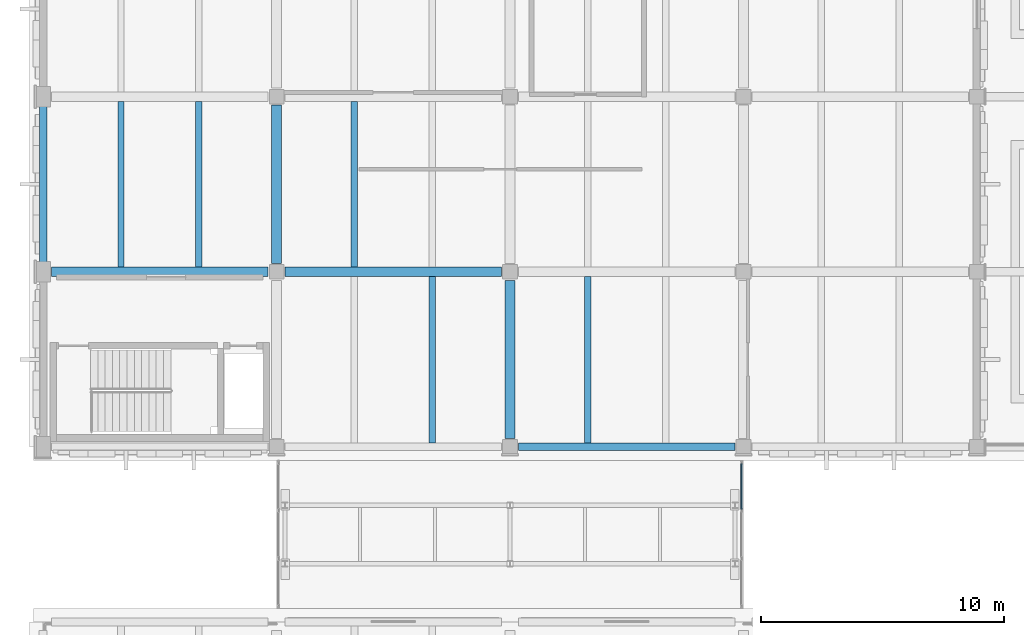
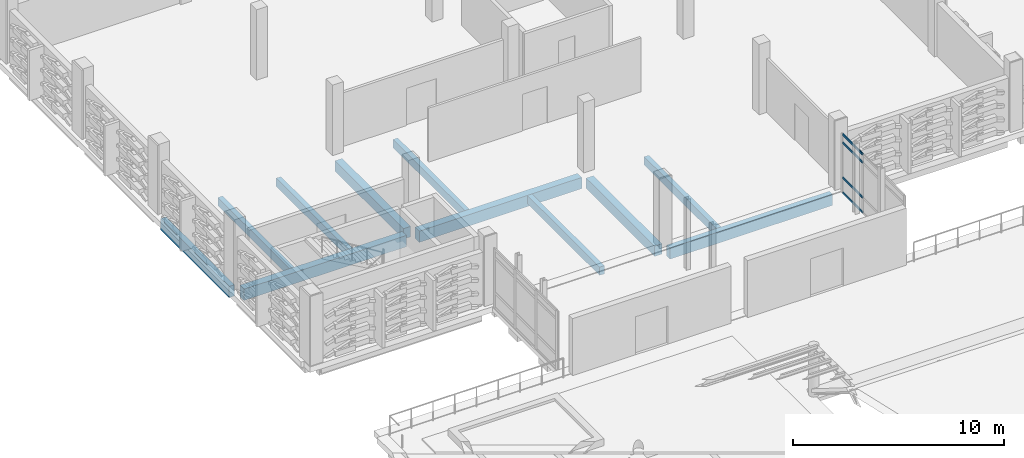
# One storey, part 11 of 134: 11 beams, 4 members, 1 element without a shape of its own.
"""IFC4 building model written with IfcOpenShell, lengths in metres."""

from ifc_helpers import new_model, si_unit, direction, frame, origin, origin_2d, place, context, subcontext, project, spatial, rectangle, hollow_rectangle, extrude, material, layer, layer_set, material_profile, profile_set, type_object, element, aggregate, save


model = new_model("IFC4")

# Units and contexts
model_context = context("Model", 3, precision=1e-05, world=origin(), true_north=direction((0.0, 1.0)))
body_context = subcontext(model_context, "Body", "Model", "MODEL_VIEW")
ifc_project = project(units=[si_unit("LENGTHUNIT", "METRE"), si_unit("AREAUNIT", "SQUARE_METRE"), si_unit("VOLUMEUNIT", "CUBIC_METRE"), si_unit("PLANEANGLEUNIT", "RADIAN"), si_unit("MASSUNIT", "GRAM", prefix="KILO")], contexts=[model_context])

# Site, building, storey
site_placement = place(None, origin())
site = spatial("IfcSite", under=ifc_project, at=site_placement, CompositionType="ELEMENT")
building_placement = place(site_placement, origin())
building = spatial("IfcBuilding", under=site, at=building_placement, Name="Asteropetra Specialist Clinic", CompositionType="ELEMENT")
storey_placement = place(building_placement, frame((0.0, 0.0, 8.5)))
storey = spatial("IfcBuildingStorey", under=building, at=storey_placement, Name="L02", CompositionType="ELEMENT", Elevation=8.5)

# Beams
ifc_material_1 = material(Name="Concrete C35/45", Category="concrete")
ifc_material_profile_1 = material_profile(ifc_material_1, rectangle(XDim=0.39990234375, YDim=0.60009765625, at=origin_2d()), Name="RCB 400x600")
ifc_profile_set_1 = profile_set([ifc_material_profile_1], Name="Concrete C35/45")
beam_type_1 = type_object("IfcBeamType", Name="BM-RC400x600", PredefinedType="BEAM", material=ifc_profile_set_1)
for number, where, z_axis, x_axis, name in (
    (1, (19.199951171875, 33.949951171875, -0.60009765625), (0.0, 1.0, 0.0), (-1.0, 0.0, 0.0), "Beam BBM08-1075"),
    (2, (9.60009765625, 41.14990234375, -0.60009765625), (0.0, 1.0, 0.0), (-1.0, 0.0, 0.0), "Beam BBM08-1084"),
):
    element("IfcBeam", number, at=place(storey_placement, frame(where, z_axis=z_axis, x_axis=x_axis)), inside=storey, type_object=beam_type_1, Name=name, PredefinedType="BEAM", context=body_context, shape_type="SweptSolid", body=[
        extrude(rectangle(XDim=0.39990234375, YDim=0.60009765625, at=origin_2d()), origin(), (0.0, 0.0, 1.0), 6.5),
    ])
ifc_material_2 = material(Name="Concrete C35/45", Category="concrete")
ifc_material_profile_2 = material_profile(ifc_material_2, rectangle(XDim=0.39990234375, YDim=0.64990234375, at=origin_2d()), Name="RCB 400x650")
ifc_profile_set_2 = profile_set([ifc_material_profile_2], Name="Concrete C35/45")
beam_type_2 = type_object("IfcBeamType", Name="BM-RC400x650", PredefinedType="BEAM", material=ifc_profile_set_2)
beam_1_placement = place(storey_placement, frame((0.35009765625, 40.800048828125, -0.625), z_axis=(1.0, 0.0, 0.0), x_axis=(0.0, 1.0, 0.0)))
element("IfcBeam", 3, at=beam_1_placement, inside=storey, type_object=beam_type_2, Name="Beam BBM07-1057", PredefinedType="BEAM", context=body_context, shape_type="SweptSolid", body=[
    extrude(rectangle(XDim=0.39990234375, YDim=0.64990234375, at=origin_2d()), origin(), (0.0, 0.0, 1.0), 8.89990234375),
])
beam_2_placement = place(storey_placement, frame((9.949951171875, 40.800048828125, -0.625), z_axis=(1.0, 0.0, 0.0), x_axis=(0.0, 1.0, 0.0)))
element("IfcBeam", 4, at=beam_2_placement, inside=storey, type_object=beam_type_2, Name="Beam BBM07-1058", PredefinedType="BEAM", context=body_context, shape_type="SweptSolid", body=[
    extrude(rectangle(XDim=0.39990234375, YDim=0.64990234375, at=origin_2d()), origin(), (0.0, 0.0, 1.0), 8.900146484375),
])

# Curtain wall, members
ifc_material_3 = material(Name="Aluminium and low-E glass", Category="aluminium")
ifc_layer = layer(ifc_material_3, 0.14990234375)
ifc_layer_set = layer_set([ifc_layer], Name="Aluminium and low-E glass")
curtain_wall_type = type_object("IfcCurtainWallType", Name="CW-SYS-08", PredefinedType="USERDEFINED", material=ifc_layer_set)
curtain_wall_placement = place(storey_placement, origin())
curtain_wall = element("IfcCurtainWall", 5, at=curtain_wall_placement, inside=storey, type_object=curtain_wall_type, Name="Curtain Wall CW-100", ObjectType="STICK GLAZED COLONNADE", PredefinedType="USERDEFINED")
ifc_material_4 = material(Name="Aluminium 6063-T6", Category="aluminium")
ifc_material_profile_3 = material_profile(ifc_material_4, hollow_rectangle(XDim=0.06494140625, YDim=0.1201171875, WallThickness=0.00390625, InnerFilletRadius=0.00390625, OuterFilletRadius=0.008056640625, at=origin_2d()), Name="TRN 120x65x4.0")
ifc_profile_set_3 = profile_set([ifc_material_profile_3], Name="Aluminium 6063-T6")
member_type = type_object("IfcMemberType", Name="CWT-120x65", PredefinedType="USERDEFINED", material=ifc_profile_set_3)
member_1_placement = place(storey_placement, frame((28.719970703125, 32.925048828125, 0.032470703125), z_axis=(0.0, -1.0, 0.0), x_axis=(1.0, 0.0, 0.0)))
member_1 = element("IfcMember", 6, at=member_1_placement, type_object=member_type, Name="CW-100 transom 1.1", ObjectType="TRANSOM", PredefinedType="USERDEFINED", context=body_context, shape_type="SweptSolid", body=[
    extrude(hollow_rectangle(XDim=0.06494140625, YDim=0.1201171875, WallThickness=0.00390625, InnerFilletRadius=0.00390625, OuterFilletRadius=0.008056640625, at=origin_2d()), origin(), (0.0, 0.0, 1.0), 1.89599609375),
])
member_2_placement = place(storey_placement, frame((28.719970703125, 32.925048828125, 0.89990234375), z_axis=(0.0, -1.0, 0.0), x_axis=(1.0, 0.0, 0.0)))
member_2 = element("IfcMember", 7, at=member_2_placement, type_object=member_type, Name="CW-100 transom 1.2", ObjectType="TRANSOM", PredefinedType="USERDEFINED", context=body_context, shape_type="SweptSolid", body=[
    extrude(hollow_rectangle(XDim=0.06494140625, YDim=0.1201171875, WallThickness=0.00390625, InnerFilletRadius=0.00390625, OuterFilletRadius=0.008056640625, at=origin_2d()), origin(), (0.0, 0.0, 1.0), 1.89599609375),
])
member_3_placement = place(storey_placement, frame((28.719970703125, 32.925048828125, 2.929931640625), z_axis=(0.0, -1.0, 0.0), x_axis=(1.0, 0.0, 0.0)))
member_3 = element("IfcMember", 8, at=member_3_placement, type_object=member_type, Name="CW-100 transom 1.3", ObjectType="TRANSOM", PredefinedType="USERDEFINED", context=body_context, shape_type="SweptSolid", body=[
    extrude(hollow_rectangle(XDim=0.06494140625, YDim=0.1201171875, WallThickness=0.00390625, InnerFilletRadius=0.00390625, OuterFilletRadius=0.008056640625, at=origin_2d()), origin(), (0.0, 0.0, 1.0), 1.89599609375),
])
member_4_placement = place(storey_placement, frame((28.719970703125, 32.925048828125, 3.3974609375), z_axis=(0.0, -1.0, 0.0), x_axis=(1.0, 0.0, 0.0)))
member_4 = element("IfcMember", 9, at=member_4_placement, type_object=member_type, Name="CW-100 transom 1.4", ObjectType="TRANSOM", PredefinedType="USERDEFINED", context=body_context, shape_type="SweptSolid", body=[
    extrude(hollow_rectangle(XDim=0.06494140625, YDim=0.1201171875, WallThickness=0.00390625, InnerFilletRadius=0.00390625, OuterFilletRadius=0.008056640625, at=origin_2d()), origin(), (0.0, 0.0, 1.0), 1.89599609375),
])
aggregate(curtain_wall, [member_1, member_2, member_3, member_4])

# Beams
ifc_material_5 = material(Name="Concrete C35/45", Category="concrete")
ifc_material_profile_4 = material_profile(ifc_material_5, rectangle(XDim=0.260009765625, YDim=0.47998046875, at=origin_2d()), Name="RCJ 260x480")
ifc_profile_set_4 = profile_set([ifc_material_profile_4], Name="Concrete C35/45")
beam_type_3 = type_object("IfcBeamType", Name="JST-RC260x480", PredefinedType="JOIST", material=ifc_profile_set_4)
for number, where, z_axis, x_axis, name in (
    (10, (16.0, 33.75, -0.5400390625), (0.0, 1.0, 0.0), (-1.0, 0.0, 0.0), "Joist JJST02-1078"),
    (11, (22.39990234375, 33.75, -0.5400390625), (0.0, 1.0, 0.0), (-1.0, 0.0, 0.0), "Joist JJST02-1079"),
):
    element("IfcBeam", number, at=place(storey_placement, frame(where, z_axis=z_axis, x_axis=x_axis)), inside=storey, type_object=beam_type_3, Name=name, PredefinedType="JOIST", context=body_context, shape_type="SweptSolid", body=[
        extrude(rectangle(XDim=0.260009765625, YDim=0.47998046875, at=origin_2d()), origin(), (0.0, 0.0, 1.0), 6.85009765625),
    ])
for number, where, z_axis, x_axis, name in (
    (12, (3.199951171875, 41.0, -0.5400390625), (0.0, 1.0, 0.0), (-1.0, 0.0, 0.0), "Joist JJST02-1087"),
    (13, (6.39990234375, 41.0, -0.5400390625), (0.0, 1.0, 0.0), (-1.0, 0.0, 0.0), "Joist JJST02-1088"),
    (14, (12.800048828125, 41.0, -0.5400390625), (0.0, 1.0, 0.0), (-1.0, 0.0, 0.0), "Joist JJST02-1089"),
):
    element("IfcBeam", number, at=place(storey_placement, frame(where, z_axis=z_axis, x_axis=x_axis)), inside=storey, type_object=beam_type_3, Name=name, PredefinedType="JOIST", context=body_context, shape_type="SweptSolid", body=[
        extrude(rectangle(XDim=0.260009765625, YDim=0.47998046875, at=origin_2d()), origin(), (0.0, 0.0, 1.0), 6.800048828125),
    ])
ifc_material_6 = material(Name="Concrete C35/45", Category="concrete")
ifc_material_profile_5 = material_profile(ifc_material_6, rectangle(XDim=0.300048828125, YDim=0.64990234375, at=origin_2d()), Name="RCS 300x650")
ifc_profile_set_5 = profile_set([ifc_material_profile_5], Name="Concrete C35/45")
beam_type_4 = type_object("IfcBeamType", Name="SPN-RC300x650", PredefinedType="SPANDREL", material=ifc_profile_set_5)
beam_3_placement = place(storey_placement, frame((19.550048828125, 33.60009765625, -0.625), z_axis=(1.0, 0.0, 0.0), x_axis=(0.0, 1.0, 0.0)))
element("IfcBeam", 15, at=beam_3_placement, inside=storey, type_object=beam_type_4, Name="Beam BSPN03-1055", PredefinedType="SPANDREL", context=body_context, shape_type="SweptSolid", body=[
    extrude(rectangle(XDim=0.300048828125, YDim=0.64990234375, at=origin_2d()), origin(), (0.0, 0.0, 1.0), 8.89990234375),
])
beam_4_placement = place(storey_placement, frame((0.0, 41.14990234375, -0.625), z_axis=(0.0, 1.0, 0.0), x_axis=(-1.0, 0.0, 0.0)))
element("IfcBeam", 16, at=beam_4_placement, inside=storey, type_object=beam_type_4, Name="Beam BSPN03-1083", PredefinedType="SPANDREL", context=body_context, shape_type="SweptSolid", body=[
    extrude(rectangle(XDim=0.300048828125, YDim=0.64990234375, at=origin_2d()), origin(), (0.0, 0.0, 1.0), 6.5),
])

save(model, "model.ifc")
